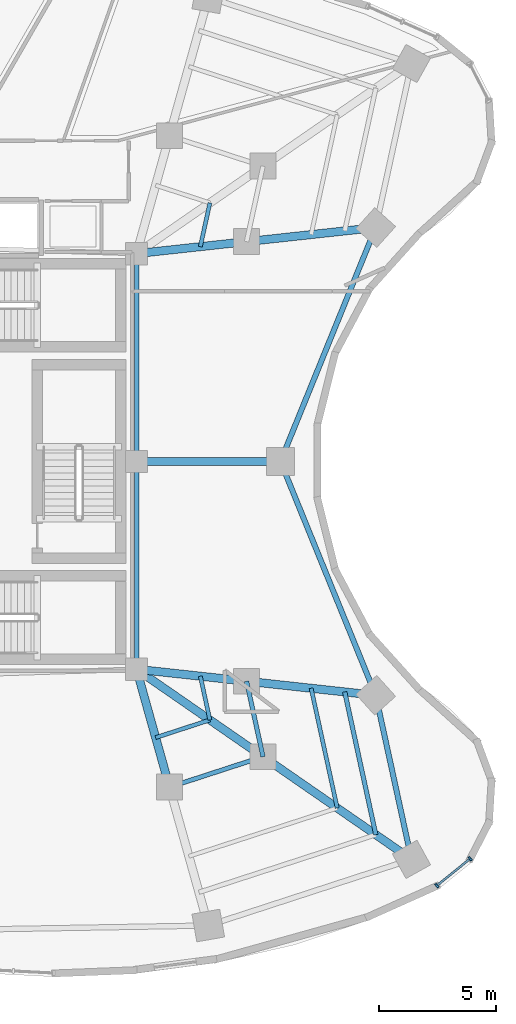
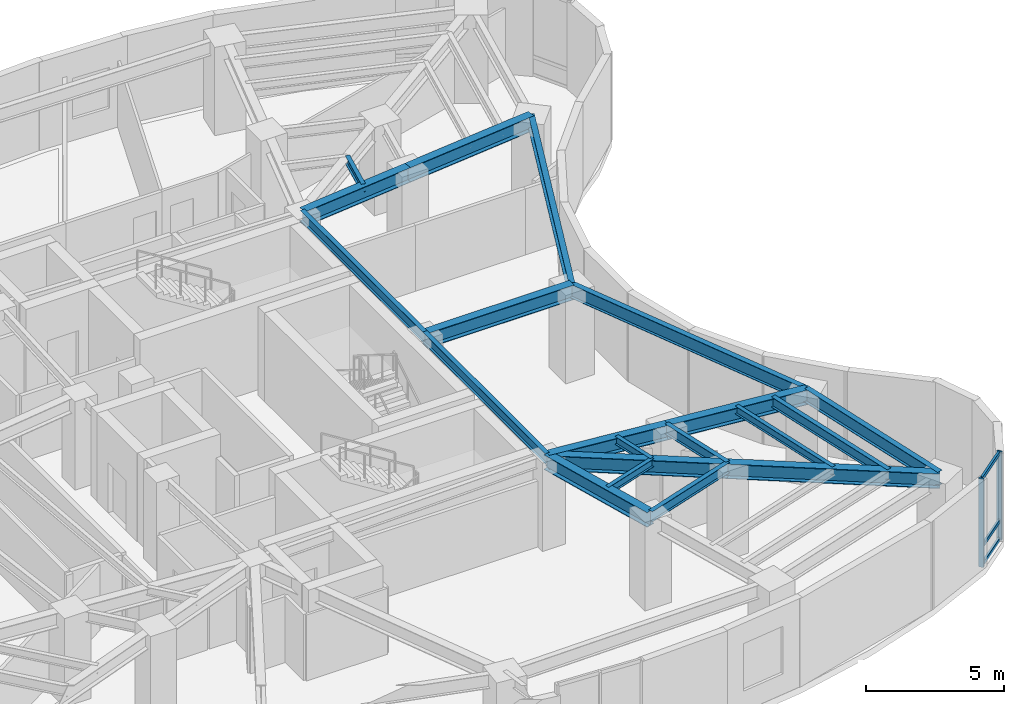
# One storey, part 4 of 12: 20 beams, 5 members, 1 element without a shape of its own.
"""IFC4 building model written with IfcOpenShell, lengths in metres."""

from ifc_helpers import new_model, si_unit, direction, frame, origin, origin_2d, place, context, subcontext, project, spatial, rectangle, i_section, extrude, material, layer, layer_set, material_profile, profile_set, type_object, element, aggregate, save


model = new_model("IFC4")

# Units and contexts
model_context = context("Model", 3, precision=1e-05, world=origin(), true_north=direction((0.0, 1.0)))
body_context = subcontext(model_context, "Body", "Model", "MODEL_VIEW")
ifc_project = project(units=[si_unit("LENGTHUNIT", "METRE"), si_unit("AREAUNIT", "SQUARE_METRE"), si_unit("VOLUMEUNIT", "CUBIC_METRE"), si_unit("PLANEANGLEUNIT", "RADIAN"), si_unit("MASSUNIT", "GRAM", prefix="KILO")], contexts=[model_context])

# Site, building, storey
site_placement = place(None, origin())
site = spatial("IfcSite", under=ifc_project, at=site_placement, CompositionType="ELEMENT")
building_placement = place(site_placement, origin())
building = spatial("IfcBuilding", under=site, at=building_placement, Name="Korentha Bioscience Tower", CompositionType="ELEMENT")
storey_placement = place(building_placement, frame((0.0, 0.0, 136.199951171875)))
storey = spatial("IfcBuildingStorey", under=building, at=storey_placement, Name="L31", CompositionType="ELEMENT", Elevation=136.199951171875)

# Beams
ifc_material_1 = material(Name="Steel S355", Category="steel")
ifc_material_profile_1 = material_profile(ifc_material_1, i_section(OverallWidth=0.18994140625, OverallDepth=0.45703125, WebThickness=0.009033203125, FlangeThickness=0.014404296875, at=origin_2d()), Name="Steel S355")
ifc_profile_set_1 = profile_set([ifc_material_profile_1], Name="Steel S355 (MB-460)")
beam_type_1 = type_object("IfcBeamType", Name="Mid-Ring Tie Girder W460x74", PredefinedType="BEAM", material=ifc_profile_set_1)
beam_1_placement = place(storey_placement, frame((38.954833984375, 13.129150390625, 3.671630859375), z_axis=(0.95087582253, 0.309572560361, 0.0), x_axis=(-0.309572560361, 0.95087582253, 0.0)))
element("IfcBeam", 1, at=beam_1_placement, inside=storey, type_object=beam_type_1, Name="L31 Mid-Ring Tie Girder 12", PredefinedType="BEAM", context=body_context, shape_type="SweptSolid", body=[
    extrude(i_section(OverallWidth=0.18994140625, OverallDepth=0.45703125, WebThickness=0.009033203125, FlangeThickness=0.014404296875, at=origin_2d()), origin(), (0.0, 0.0, 1.0), 4.186767578125),
])
beam_2_placement = place(storey_placement, frame((42.93603515625, 14.42529296875, 3.671630859375), z_axis=(-0.212928773299, 0.977067724112, 0.0), x_axis=(-0.977067724112, -0.212928773299, 0.0)))
element("IfcBeam", 2, at=beam_2_placement, inside=storey, type_object=beam_type_1, Name="L31 Mid-Ring Tie Girder 13", PredefinedType="BEAM", context=body_context, shape_type="SweptSolid", body=[
    extrude(i_section(OverallWidth=0.18994140625, OverallDepth=0.45703125, WebThickness=0.009033203125, FlangeThickness=0.014404296875, at=origin_2d()), origin(), (0.0, 0.0, 1.0), 3.28955078125),
])
for number, where, z_axis, x_axis, name in (
    (3, (37.550048828125, 18.14990234375, 3.671630859375), (0.0, 1.0, 0.0), (-1.0, 0.0, 0.0), "L31 Core Ring Tie Girder 06"),
    (4, (37.550048828125, 27.0, 3.671630859375), (0.0, 1.0, 0.0), (-1.0, 0.0, 0.0), "L31 Core Ring Tie Girder 07"),
):
    element("IfcBeam", number, at=place(storey_placement, frame(where, z_axis=z_axis, x_axis=x_axis)), inside=storey, type_object=beam_type_1, Name=name, PredefinedType="BEAM", context=body_context, shape_type="SweptSolid", body=[
        extrude(i_section(OverallWidth=0.18994140625, OverallDepth=0.45703125, WebThickness=0.009033203125, FlangeThickness=0.014404296875, at=origin_2d()), origin(), (0.0, 0.0, 1.0), 8.85009765625),
    ])

# Curtain wall, members
ifc_material_2 = material(Name="Thermally Broken Aluminium Frame", Category="aluminium")
ifc_layer = layer(ifc_material_2, 0.219970703125, Name="Thermally Broken Aluminium Frame")
ifc_layer_set = layer_set([ifc_layer], Name="Thermally Broken Aluminium Frame (CW-T1)")
curtain_wall_type = type_object("IfcCurtainWallType", Name="Standard Bioscience Lab Unitised Curtain Wall CW-T1", PredefinedType="USERDEFINED", material=ifc_layer_set)
curtain_wall_placement = place(storey_placement, origin())
curtain_wall = element("IfcCurtainWall", 5, at=curtain_wall_placement, inside=storey, type_object=curtain_wall_type, Name="L31 Curtain Wall 37", ObjectType="UNITISED", PredefinedType="USERDEFINED")
ifc_material_3 = material(Name="Anodised Aluminium 6063-T6", Category="aluminium")
ifc_material_profile_2 = material_profile(ifc_material_3, rectangle(XDim=0.090087890625, YDim=0.199951171875, at=origin_2d()), Name="Anodised Aluminium 6063-T6")
ifc_profile_set_2 = profile_set([ifc_material_profile_2], Name="Anodised Aluminium 6063-T6 (CW-MUL)")
member_type_1 = type_object("IfcMemberType", Name="Mullion RECT 90x200", PredefinedType="MULLION", material=ifc_profile_set_2)
member_1_placement = place(storey_placement, frame((50.337158203125, 8.931884765625, 0.0), z_axis=(0.0, 0.0, 1.0), x_axis=(0.777315301098, 0.629111216463, 0.0)))
member_1 = element("IfcMember", 6, at=member_1_placement, type_object=member_type_1, Name="CW-L31-37 Mullion 1", PredefinedType="MULLION", context=body_context, shape_type="SweptSolid", body=[
    extrude(rectangle(XDim=0.090087890625, YDim=0.199951171875, at=origin_2d()), origin(), (0.0, 0.0, 1.0), 3.900146484375),
])
member_2_placement = place(storey_placement, frame((51.7578125, 10.08154296875, 0.0), z_axis=(0.0, 0.0, 1.0), x_axis=(0.777315301098, 0.629111216463, 0.0)))
member_2 = element("IfcMember", 7, at=member_2_placement, type_object=member_type_1, Name="CW-L31-37 Mullion 2", PredefinedType="MULLION", context=body_context, shape_type="SweptSolid", body=[
    extrude(rectangle(XDim=0.090087890625, YDim=0.199951171875, at=origin_2d()), origin(), (0.0, 0.0, 1.0), 3.900146484375),
])

# Beams
ifc_material_profile_3 = material_profile(ifc_material_1, i_section(OverallWidth=0.22802734375, OverallDepth=0.60791015625, WebThickness=0.01123046875, FlangeThickness=0.017333984375, at=origin_2d()), Name="Steel S355")
ifc_profile_set_3 = profile_set([ifc_material_profile_3], Name="Steel S355 (SB-610)")
beam_type_2 = type_object("IfcBeamType", Name="Perimeter Ring Spandrel Girder W610x113", PredefinedType="SPANDREL", material=ifc_profile_set_3)
beam_3_placement = place(storey_placement, frame((49.2587890625, 10.052978515625, 3.595947265625), z_axis=(-0.212927102256, 0.977068088275, 0.0), x_axis=(-0.977068088275, -0.212927102256, 0.0)))
element("IfcBeam", 8, at=beam_3_placement, inside=storey, type_object=beam_type_2, Name="L31 Perimeter Spandrel Girder 13", PredefinedType="SPANDREL", context=body_context, shape_type="SweptSolid", body=[
    extrude(i_section(OverallWidth=0.22802734375, OverallDepth=0.60791015625, WebThickness=0.01123046875, FlangeThickness=0.017333984375, at=origin_2d()), origin(), (0.0, 0.0, 1.0), 7.1513671875),
])
for number, where, z_axis, x_axis, name in (
    (9, (47.736083984375, 17.040283203125, 3.595947265625), (-0.37709856037, 0.926173134876, 0.0), (-0.926173134876, -0.37709856037, 0.0), "L31 Perimeter Spandrel Girder 14"),
    (10, (43.680908203125, 27.0, 3.595947265625), (0.37709856037, 0.926173134876, 0.0), (-0.926173134876, 0.37709856037, 0.0), "L31 Perimeter Spandrel Girder 15"),
):
    element("IfcBeam", number, at=place(storey_placement, frame(where, z_axis=z_axis, x_axis=x_axis)), inside=storey, type_object=beam_type_2, Name=name, PredefinedType="SPANDREL", context=body_context, shape_type="SweptSolid", body=[
        extrude(i_section(OverallWidth=0.22802734375, OverallDepth=0.60791015625, WebThickness=0.01123046875, FlangeThickness=0.017333984375, at=origin_2d()), origin(), (0.0, 0.0, 1.0), 10.753662109375),
    ])
ifc_material_profile_4 = material_profile(ifc_material_1, i_section(OverallWidth=0.18994140625, OverallDepth=0.45703125, WebThickness=0.009033203125, FlangeThickness=0.014404296875, at=origin_2d()), Name="Steel S355")
ifc_profile_set_4 = profile_set([ifc_material_profile_4], Name="Steel S355 (RB-460)")
beam_type_3 = type_object("IfcBeamType", Name="Radial Laboratory Beam W460x74", PredefinedType="BEAM", material=ifc_profile_set_4)
beam_4_placement = place(storey_placement, frame((47.7412109375, 11.1025390625, 3.671630859375), z_axis=(-0.21290837934, 0.977072168269, 0.0), x_axis=(-0.977072168269, -0.21290837934, 0.0)))
element("IfcBeam", 11, at=beam_4_placement, inside=storey, type_object=beam_type_3, Name="L31 Secondary Floor Beam JSTO-13", PredefinedType="BEAM", context=body_context, shape_type="SweptSolid", body=[
    extrude(i_section(OverallWidth=0.18994140625, OverallDepth=0.45703125, WebThickness=0.009033203125, FlangeThickness=0.014404296875, at=origin_2d()), origin(), (0.0, 0.0, 1.0), 6.224365234375),
])
ifc_material_profile_5 = material_profile(ifc_material_1, i_section(OverallWidth=0.35009765625, OverallDepth=0.64990234375, WebThickness=0.01611328125, FlangeThickness=0.02490234375, at=origin_2d()), Name="Steel S355")
ifc_profile_set_5 = profile_set([ifc_material_profile_5], Name="Steel S355 (RB-650)")
beam_type_4 = type_object("IfcBeamType", Name="Radial Laboratory Girder CVS 650x208", PredefinedType="BEAM", material=ifc_profile_set_5)
beam_5_placement = place(storey_placement, frame((37.550048828125, 18.14990234375, 3.574951171875), z_axis=(0.269447542125, -0.96301506844, 0.0), x_axis=(0.96301506844, 0.269447542125, 0.0)))
element("IfcBeam", 12, at=beam_5_placement, inside=storey, type_object=beam_type_4, Name="L31 Inner Radial Girder 12", PredefinedType="BEAM", context=body_context, shape_type="SweptSolid", body=[
    extrude(i_section(OverallWidth=0.35009765625, OverallDepth=0.64990234375, WebThickness=0.01611328125, FlangeThickness=0.02490234375, at=origin_2d()), origin(), (0.0, 0.0, 1.0), 5.213623046875),
])
beam_6_placement = place(storey_placement, frame((37.550048828125, 18.14990234375, 3.574951171875), z_axis=(0.822488699387, -0.568781451333, 0.0), x_axis=(0.568781451333, 0.822488699387, 0.0)))
element("IfcBeam", 13, at=beam_6_placement, inside=storey, type_object=beam_type_4, Name="L31 Inner Radial Girder 13", PredefinedType="BEAM", context=body_context, shape_type="SweptSolid", body=[
    extrude(i_section(OverallWidth=0.35009765625, OverallDepth=0.64990234375, WebThickness=0.01611328125, FlangeThickness=0.02490234375, at=origin_2d()), origin(), (0.0, 0.0, 1.0), 6.54833984375),
])
beam_7_placement = place(storey_placement, frame((42.93603515625, 14.42529296875, 3.574951171875), z_axis=(0.822495056204, -0.568772258922, 0.0), x_axis=(0.568772258922, 0.822495056204, 0.0)))
element("IfcBeam", 14, at=beam_7_placement, inside=storey, type_object=beam_type_4, Name="L31 Outer Radial Girder 13", PredefinedType="BEAM", context=body_context, shape_type="SweptSolid", body=[
    extrude(i_section(OverallWidth=0.35009765625, OverallDepth=0.64990234375, WebThickness=0.01611328125, FlangeThickness=0.02490234375, at=origin_2d()), origin(), (0.0, 0.0, 1.0), 7.687255859375),
])
beam_8_placement = place(storey_placement, frame((37.550048828125, 18.14990234375, 3.574951171875), z_axis=(0.994117092476, -0.108310694058, 0.0), x_axis=(0.108310694058, 0.994117092476, 0.0)))
element("IfcBeam", 15, at=beam_8_placement, inside=storey, type_object=beam_type_4, Name="L31 Inner Radial Girder 14", PredefinedType="BEAM", context=body_context, shape_type="SweptSolid", body=[
    extrude(i_section(OverallWidth=0.35009765625, OverallDepth=0.64990234375, WebThickness=0.01611328125, FlangeThickness=0.02490234375, at=origin_2d()), origin(), (0.0, 0.0, 1.0), 4.71337890625),
])
beam_9_placement = place(storey_placement, frame((42.235595703125, 17.639404296875, 3.574951171875), z_axis=(0.994120325557, -0.108281015487, 0.0), x_axis=(0.108281015487, 0.994120325557, 0.0)))
element("IfcBeam", 16, at=beam_9_placement, inside=storey, type_object=beam_type_4, Name="L31 Outer Radial Girder 14", PredefinedType="BEAM", context=body_context, shape_type="SweptSolid", body=[
    extrude(i_section(OverallWidth=0.35009765625, OverallDepth=0.64990234375, WebThickness=0.01611328125, FlangeThickness=0.02490234375, at=origin_2d()), origin(), (0.0, 0.0, 1.0), 5.532958984375),
])
beam_10_placement = place(storey_placement, frame((37.550048828125, 27.0, 3.574951171875), z_axis=(1.0, 0.0, 0.0), x_axis=(0.0, 1.0, 0.0)))
element("IfcBeam", 17, at=beam_10_placement, inside=storey, type_object=beam_type_4, Name="L31 Radial Girder 15", PredefinedType="BEAM", context=body_context, shape_type="SweptSolid", body=[
    extrude(i_section(OverallWidth=0.35009765625, OverallDepth=0.64990234375, WebThickness=0.01611328125, FlangeThickness=0.02490234375, at=origin_2d()), origin(), (0.0, 0.0, 1.0), 6.130859375),
])
beam_11_placement = place(storey_placement, frame((37.550048828125, 35.85009765625, 3.574951171875), z_axis=(0.994117092476, 0.108310694058, 0.0), x_axis=(-0.108310694058, 0.994117092476, 0.0)))
element("IfcBeam", 18, at=beam_11_placement, inside=storey, type_object=beam_type_4, Name="L31 Inner Radial Girder 16", PredefinedType="BEAM", context=body_context, shape_type="SweptSolid", body=[
    extrude(i_section(OverallWidth=0.35009765625, OverallDepth=0.64990234375, WebThickness=0.01611328125, FlangeThickness=0.02490234375, at=origin_2d()), origin(), (0.0, 0.0, 1.0), 4.71337890625),
])
beam_12_placement = place(storey_placement, frame((42.235595703125, 36.360595703125, 3.574951171875), z_axis=(0.994120325557, 0.108281015487, 0.0), x_axis=(-0.108281015487, 0.994120325557, 0.0)))
element("IfcBeam", 19, at=beam_12_placement, inside=storey, type_object=beam_type_4, Name="L31 Outer Radial Girder 16", PredefinedType="BEAM", context=body_context, shape_type="SweptSolid", body=[
    extrude(i_section(OverallWidth=0.35009765625, OverallDepth=0.64990234375, WebThickness=0.01611328125, FlangeThickness=0.02490234375, at=origin_2d()), origin(), (0.0, 0.0, 1.0), 5.532958984375),
])
ifc_material_profile_6 = material_profile(ifc_material_1, i_section(OverallWidth=0.1708984375, OverallDepth=0.35498046875, WebThickness=0.007080078125, FlangeThickness=0.01171875, at=origin_2d()), Name="Steel S355")
ifc_profile_set_6 = profile_set([ifc_material_profile_6], Name="Steel S355 (JB-360)")
beam_type_5 = type_object("IfcBeamType", Name="Secondary Laboratory Joist W360x51", PredefinedType="JOIST", material=ifc_profile_set_6)
beam_13_placement = place(storey_placement, frame((38.36474609375, 15.23779296875, 3.72265625), z_axis=(0.950852158547, 0.30964523666, 0.0), x_axis=(-0.30964523666, 0.950852158547, 0.0)))
element("IfcBeam", 20, at=beam_13_placement, inside=storey, type_object=beam_type_5, Name="L31 Inner Bay Joist 12", PredefinedType="JOIST", context=body_context, shape_type="SweptSolid", body=[
    extrude(i_section(OverallWidth=0.1708984375, OverallDepth=0.35498046875, WebThickness=0.007080078125, FlangeThickness=0.01171875, at=origin_2d()), origin(), (0.0, 0.0, 1.0), 2.428466796875),
])
beam_14_placement = place(storey_placement, frame((46.097412109375, 12.2392578125, 3.72265625), z_axis=(-0.212932493609, 0.977066913351, 0.0), x_axis=(-0.977066913351, -0.212932493609, 0.0)))
element("IfcBeam", 21, at=beam_14_placement, inside=storey, type_object=beam_type_5, Name="L31 Secondary Floor Beam JST-13", PredefinedType="JOIST", context=body_context, shape_type="SweptSolid", body=[
    extrude(i_section(OverallWidth=0.1708984375, OverallDepth=0.35498046875, WebThickness=0.007080078125, FlangeThickness=0.01171875, at=origin_2d()), origin(), (0.0, 0.0, 1.0), 5.22021484375),
])
for number, where, z_axis, x_axis, name in (
    (22, (40.673828125, 15.98974609375, 3.72265625), (-0.212918344001, 0.977069996872, 0.0), (-0.977069996872, -0.212918344001, 0.0), "L31 Inner Bay Joist 13"),
    (23, (40.267578125, 36.14599609375, 3.72265625), (0.212918344001, 0.977069996872, 0.0), (-0.977069996872, 0.212918344001, 0.0), "L31 Inner Bay Joist 16"),
):
    element("IfcBeam", number, at=place(storey_placement, frame(where, z_axis=z_axis, x_axis=x_axis)), inside=storey, type_object=beam_type_5, Name=name, PredefinedType="JOIST", context=body_context, shape_type="SweptSolid", body=[
        extrude(i_section(OverallWidth=0.1708984375, OverallDepth=0.35498046875, WebThickness=0.007080078125, FlangeThickness=0.01171875, at=origin_2d()), origin(), (0.0, 0.0, 1.0), 1.907958984375),
    ])

# Member
ifc_material_profile_7 = material_profile(ifc_material_3, rectangle(XDim=0.090087890625, YDim=0.159912109375, at=origin_2d()), Name="Anodised Aluminium 6063-T6")
ifc_profile_set_7 = profile_set([ifc_material_profile_7], Name="Anodised Aluminium 6063-T6 (CW-TRN)")
member_type_2 = type_object("IfcMemberType", Name="Transom RECT 90x160", PredefinedType="USERDEFINED", material=ifc_profile_set_7)
member_3_placement = place(storey_placement, frame((50.3720703125, 8.960205078125, 0.045166015625), z_axis=(0.777333214738, 0.629089082137, 0.0), x_axis=(-0.629089082137, 0.777333214738, 0.0)))
member_3 = element("IfcMember", 24, at=member_3_placement, type_object=member_type_2, Name="CW-L31-37 Bay 1 Transom 1", ObjectType="TRANSOM", PredefinedType="USERDEFINED", context=body_context, shape_type="SweptSolid", body=[
    extrude(rectangle(XDim=0.090087890625, YDim=0.159912109375, at=origin_2d()), origin(), (0.0, 0.0, 1.0), 1.737548828125),
])

member_4_placement = place(storey_placement, frame((50.3720703125, 8.960205078125, 0.85009765625), z_axis=(0.777333214738, 0.629089082137, 0.0), x_axis=(-0.629089082137, 0.777333214738, 0.0)))
member_4 = element("IfcMember", 25, at=member_4_placement, type_object=member_type_2, Name="CW-L31-37 Bay 1 Transom 2", ObjectType="TRANSOM", PredefinedType="USERDEFINED", context=body_context, shape_type="SweptSolid", body=[
    extrude(rectangle(XDim=0.090087890625, YDim=0.159912109375, at=origin_2d()), origin(), (0.0, 0.0, 1.0), 1.737548828125),
])

member_5_placement = place(storey_placement, frame((50.3720703125, 8.960205078125, 3.85498046875), z_axis=(0.777333214738, 0.629089082137, 0.0), x_axis=(-0.629089082137, 0.777333214738, 0.0)))
member_5 = element("IfcMember", 26, at=member_5_placement, type_object=member_type_2, Name="CW-L31-37 Bay 1 Transom 3", ObjectType="TRANSOM", PredefinedType="USERDEFINED", context=body_context, shape_type="SweptSolid", body=[
    extrude(rectangle(XDim=0.090087890625, YDim=0.159912109375, at=origin_2d()), origin(), (0.0, 0.0, 1.0), 1.737548828125),
])

aggregate(curtain_wall, [member_1, member_2, member_3, member_4, member_5])

save(model, "model.ifc")
